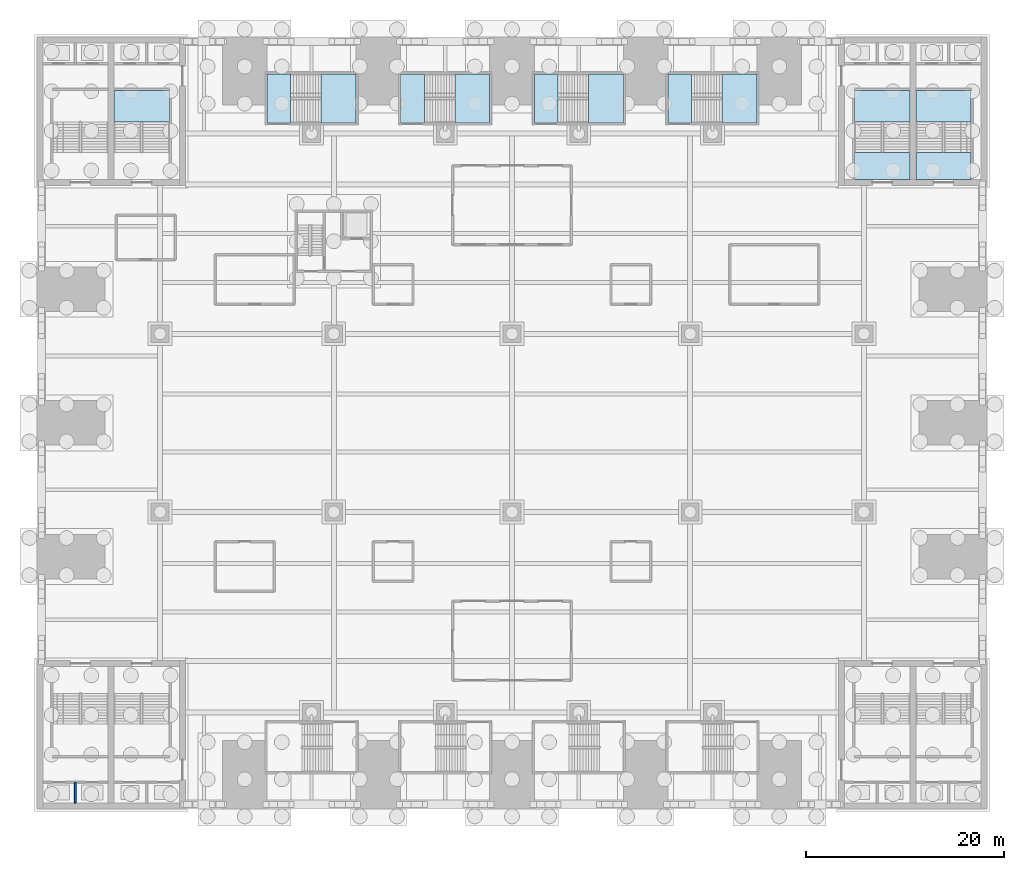
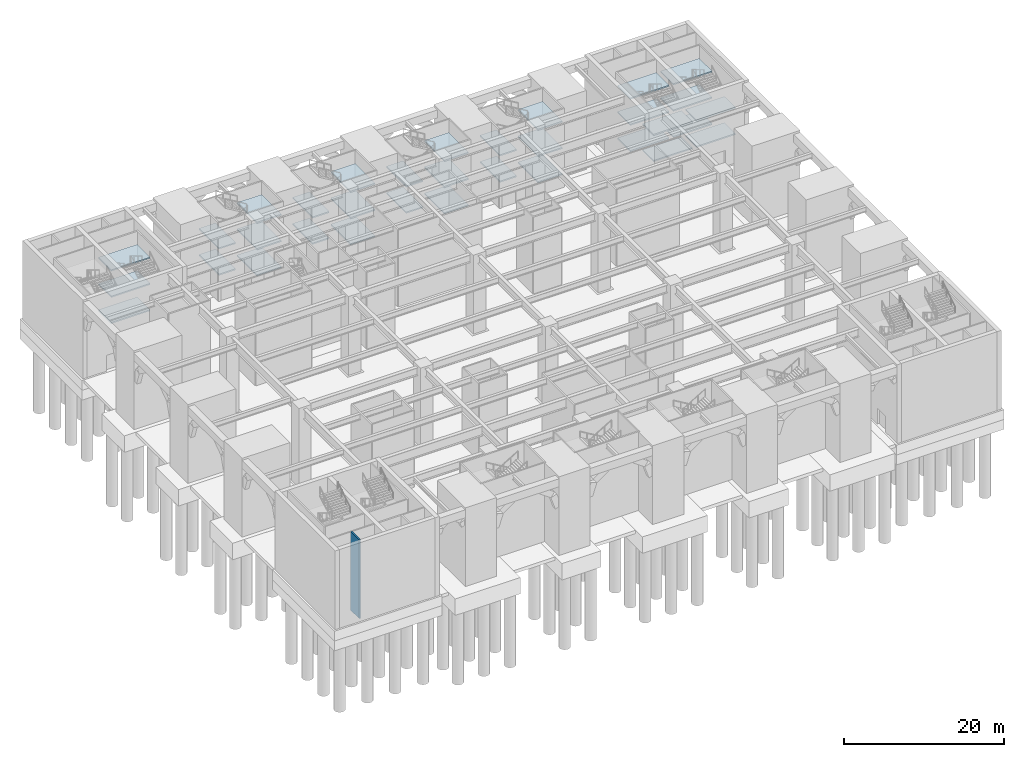
# One storey, part 6 of 34: 33 slabs, 1 wall, 7 elements without a shape of their own.
"""IFC4 building model written with IfcOpenShell, lengths in metres."""

from ifc_helpers import new_model, si_unit, direction, frame, frame_2d, origin, place, context, subcontext, project, spatial, polyline, rectangle, outline, extrude, material, layer, layer_set, type_object, element, aggregate, save


model = new_model("IFC4")

# Units and contexts
model_context = context("Model", 3, precision=1e-05, world=origin(), true_north=direction((0.0, 1.0)))
body_context = subcontext(model_context, "Body", "Model", "MODEL_VIEW")
ifc_project = project(units=[si_unit("LENGTHUNIT", "METRE"), si_unit("AREAUNIT", "SQUARE_METRE"), si_unit("VOLUMEUNIT", "CUBIC_METRE"), si_unit("PLANEANGLEUNIT", "RADIAN"), si_unit("MASSUNIT", "GRAM", prefix="KILO")], contexts=[model_context])

# Site, building, storey
site_placement = place(None, origin())
site = spatial("IfcSite", under=ifc_project, at=site_placement, CompositionType="ELEMENT")
building_placement = place(site_placement, origin())
building = spatial("IfcBuilding", under=site, at=building_placement, Name="Corbelhall Arena Tower", CompositionType="ELEMENT")
storey_placement = place(building_placement, origin())
storey = spatial("IfcBuildingStorey", under=building, at=storey_placement, Name="L00", CompositionType="ELEMENT", Elevation=0.0)

# Stair, slabs
ifc_material = material(Name="Reinforced concrete C40/50", Category="concrete")
stair_type = type_object("IfcStairType", Name="AR-EXIT-STAIR", PredefinedType="HALF_TURN_STAIR", material=ifc_material)
stair_1_placement = place(storey_placement, origin())
stair_1 = element("IfcStair", 1, at=stair_1_placement, inside=storey, type_object=stair_type, Name="L00 exit stair AS9", PredefinedType="HALF_TURN_STAIR")
ifc_layer_1 = layer(ifc_material, 0.199951171875)
ifc_layer_set_1 = layer_set([ifc_layer_1], Name="AR-EXIT-LANDING")
slab_type = type_object("IfcSlabType", Name="AR-EXIT-LANDING", PredefinedType="LANDING", material=ifc_layer_set_1)
slab_1_placement = place(storey_placement, frame((0.0, 0.0, 1.800048828125)))
slab_1 = element("IfcSlab", 2, at=slab_1_placement, type_object=slab_type, Name="AS9 landing 1", PredefinedType="LANDING", context=body_context, shape_type="SweptSolid", body=[
    extrude(outline(polyline([(-19.27001953125, 30.300048828125), (-15.75, 30.300048828125), (-15.75, 35.25), (-19.27001953125, 35.25), (-19.27001953125, 30.300048828125)])), origin(), (0.0, 0.0, 1.0), 0.199951171875),
])
slab_2_placement = place(storey_placement, frame((0.0, 0.0, 3.800048828125)))
slab_2 = element("IfcSlab", 3, at=slab_2_placement, type_object=slab_type, Name="AS9 landing 2", PredefinedType="LANDING", context=body_context, shape_type="SweptSolid", body=[
    extrude(outline(polyline([(-24.75, 30.300048828125), (-22.35009765625, 30.300048828125), (-22.35009765625, 35.25), (-24.75, 35.25), (-24.75, 30.300048828125)])), origin(), (0.0, 0.0, 1.0), 0.199951171875),
])
slab_3_placement = place(storey_placement, frame((0.0, 0.0, 5.800048828125)))
slab_3 = element("IfcSlab", 4, at=slab_3_placement, type_object=slab_type, Name="AS9 landing 3", PredefinedType="LANDING", context=body_context, shape_type="SweptSolid", body=[
    extrude(outline(polyline([(-19.27001953125, 30.300048828125), (-15.75, 30.300048828125), (-15.75, 35.25), (-19.27001953125, 35.25), (-19.27001953125, 30.300048828125)])), origin(), (0.0, 0.0, 1.0), 0.199951171875),
])
slab_4_placement = place(storey_placement, frame((0.0, 0.0, 7.800048828125)))
slab_4 = element("IfcSlab", 5, at=slab_4_placement, type_object=slab_type, Name="AS9 landing 4", PredefinedType="LANDING", context=body_context, shape_type="SweptSolid", body=[
    extrude(outline(polyline([(-24.75, 30.300048828125), (-22.35009765625, 30.300048828125), (-22.35009765625, 35.25), (-24.75, 35.25), (-24.75, 30.300048828125)])), origin(), (0.0, 0.0, 1.0), 0.199951171875),
])
slab_5_placement = place(storey_placement, frame((0.0, 0.0, 9.800048828125)))
slab_5 = element("IfcSlab", 6, at=slab_5_placement, type_object=slab_type, Name="AS9 landing 5", PredefinedType="LANDING", context=body_context, shape_type="SweptSolid", body=[
    extrude(outline(polyline([(-19.27001953125, 30.300048828125), (-15.75, 30.300048828125), (-15.75, 35.25), (-19.27001953125, 35.25), (-19.27001953125, 30.300048828125)])), origin(), (0.0, 0.0, 1.0), 0.199951171875),
])
aggregate(stair_1, [slab_1, slab_2, slab_3, slab_4, slab_5])

stair_2_placement = place(storey_placement, origin())
stair_2 = element("IfcStair", 7, at=stair_2_placement, inside=storey, type_object=stair_type, Name="L00 exit stair AS10", PredefinedType="HALF_TURN_STAIR")
slab_6_placement = place(storey_placement, frame((0.0, 0.0, 1.800048828125)))
slab_6 = element("IfcSlab", 8, at=slab_6_placement, type_object=slab_type, Name="AS10 landing 1", PredefinedType="LANDING", context=body_context, shape_type="SweptSolid", body=[
    extrude(outline(polyline([(-5.77001953125, 30.300048828125), (-2.25, 30.300048828125), (-2.25, 35.25), (-5.77001953125, 35.25), (-5.77001953125, 30.300048828125)])), origin(), (0.0, 0.0, 1.0), 0.199951171875),
])
slab_7_placement = place(storey_placement, frame((0.0, 0.0, 3.800048828125)))
slab_7 = element("IfcSlab", 9, at=slab_7_placement, type_object=slab_type, Name="AS10 landing 2", PredefinedType="LANDING", context=body_context, shape_type="SweptSolid", body=[
    extrude(outline(polyline([(-11.25, 30.300048828125), (-8.85009765625, 30.300048828125), (-8.85009765625, 35.25), (-11.25, 35.25), (-11.25, 30.300048828125)])), origin(), (0.0, 0.0, 1.0), 0.199951171875),
])
slab_8_placement = place(storey_placement, frame((0.0, 0.0, 5.800048828125)))
slab_8 = element("IfcSlab", 10, at=slab_8_placement, type_object=slab_type, Name="AS10 landing 3", PredefinedType="LANDING", context=body_context, shape_type="SweptSolid", body=[
    extrude(outline(polyline([(-5.77001953125, 30.300048828125), (-2.25, 30.300048828125), (-2.25, 35.25), (-5.77001953125, 35.25), (-5.77001953125, 30.300048828125)])), origin(), (0.0, 0.0, 1.0), 0.199951171875),
])
slab_9_placement = place(storey_placement, frame((0.0, 0.0, 7.800048828125)))
slab_9 = element("IfcSlab", 11, at=slab_9_placement, type_object=slab_type, Name="AS10 landing 4", PredefinedType="LANDING", context=body_context, shape_type="SweptSolid", body=[
    extrude(outline(polyline([(-11.25, 30.300048828125), (-8.85009765625, 30.300048828125), (-8.85009765625, 35.25), (-11.25, 35.25), (-11.25, 30.300048828125)])), origin(), (0.0, 0.0, 1.0), 0.199951171875),
])
slab_10_placement = place(storey_placement, frame((0.0, 0.0, 9.800048828125)))
slab_10 = element("IfcSlab", 12, at=slab_10_placement, type_object=slab_type, Name="AS10 landing 5", PredefinedType="LANDING", context=body_context, shape_type="SweptSolid", body=[
    extrude(outline(polyline([(-5.77001953125, 30.300048828125), (-2.25, 30.300048828125), (-2.25, 35.25), (-5.77001953125, 35.25), (-5.77001953125, 30.300048828125)])), origin(), (0.0, 0.0, 1.0), 0.199951171875),
])
aggregate(stair_2, [slab_6, slab_7, slab_8, slab_9, slab_10])

stair_3_placement = place(storey_placement, origin())
stair_3 = element("IfcStair", 13, at=stair_3_placement, inside=storey, type_object=stair_type, Name="L00 exit stair AS11", PredefinedType="HALF_TURN_STAIR")
slab_11_placement = place(storey_placement, frame((0.0, 0.0, 1.800048828125)))
slab_11 = element("IfcSlab", 14, at=slab_11_placement, type_object=slab_type, Name="AS11 landing 1", PredefinedType="LANDING", context=body_context, shape_type="SweptSolid", body=[
    extrude(outline(polyline([(7.72998046875, 30.300048828125), (11.25, 30.300048828125), (11.25, 35.25), (7.72998046875, 35.25), (7.72998046875, 30.300048828125)])), origin(), (0.0, 0.0, 1.0), 0.199951171875),
])
slab_12_placement = place(storey_placement, frame((0.0, 0.0, 3.800048828125)))
slab_12 = element("IfcSlab", 15, at=slab_12_placement, type_object=slab_type, Name="AS11 landing 2", PredefinedType="LANDING", context=body_context, shape_type="SweptSolid", body=[
    extrude(outline(polyline([(2.25, 30.300048828125), (4.64990234375, 30.300048828125), (4.64990234375, 35.25), (2.25, 35.25), (2.25, 30.300048828125)])), origin(), (0.0, 0.0, 1.0), 0.199951171875),
])
slab_13_placement = place(storey_placement, frame((0.0, 0.0, 5.800048828125)))
slab_13 = element("IfcSlab", 16, at=slab_13_placement, type_object=slab_type, Name="AS11 landing 3", PredefinedType="LANDING", context=body_context, shape_type="SweptSolid", body=[
    extrude(outline(polyline([(7.72998046875, 30.300048828125), (11.25, 30.300048828125), (11.25, 35.25), (7.72998046875, 35.25), (7.72998046875, 30.300048828125)])), origin(), (0.0, 0.0, 1.0), 0.199951171875),
])
slab_14_placement = place(storey_placement, frame((0.0, 0.0, 7.800048828125)))
slab_14 = element("IfcSlab", 17, at=slab_14_placement, type_object=slab_type, Name="AS11 landing 4", PredefinedType="LANDING", context=body_context, shape_type="SweptSolid", body=[
    extrude(outline(polyline([(2.25, 30.300048828125), (4.64990234375, 30.300048828125), (4.64990234375, 35.25), (2.25, 35.25), (2.25, 30.300048828125)])), origin(), (0.0, 0.0, 1.0), 0.199951171875),
])
slab_15_placement = place(storey_placement, frame((0.0, 0.0, 9.800048828125)))
slab_15 = element("IfcSlab", 18, at=slab_15_placement, type_object=slab_type, Name="AS11 landing 5", PredefinedType="LANDING", context=body_context, shape_type="SweptSolid", body=[
    extrude(outline(polyline([(7.72998046875, 30.300048828125), (11.25, 30.300048828125), (11.25, 35.25), (7.72998046875, 35.25), (7.72998046875, 30.300048828125)])), origin(), (0.0, 0.0, 1.0), 0.199951171875),
])
aggregate(stair_3, [slab_11, slab_12, slab_13, slab_14, slab_15])

stair_4_placement = place(storey_placement, origin())
stair_4 = element("IfcStair", 19, at=stair_4_placement, inside=storey, type_object=stair_type, Name="L00 exit stair AS12", PredefinedType="HALF_TURN_STAIR")
slab_16_placement = place(storey_placement, frame((0.0, 0.0, 1.800048828125)))
slab_16 = element("IfcSlab", 20, at=slab_16_placement, type_object=slab_type, Name="AS12 landing 1", PredefinedType="LANDING", context=body_context, shape_type="SweptSolid", body=[
    extrude(outline(polyline([(21.22998046875, 30.300048828125), (24.75, 30.300048828125), (24.75, 35.25), (21.22998046875, 35.25), (21.22998046875, 30.300048828125)])), origin(), (0.0, 0.0, 1.0), 0.199951171875),
])
slab_17_placement = place(storey_placement, frame((0.0, 0.0, 3.800048828125)))
slab_17 = element("IfcSlab", 21, at=slab_17_placement, type_object=slab_type, Name="AS12 landing 2", PredefinedType="LANDING", context=body_context, shape_type="SweptSolid", body=[
    extrude(outline(polyline([(15.75, 30.300048828125), (18.14990234375, 30.300048828125), (18.14990234375, 35.25), (15.75, 35.25), (15.75, 30.300048828125)])), origin(), (0.0, 0.0, 1.0), 0.199951171875),
])
slab_18_placement = place(storey_placement, frame((0.0, 0.0, 5.800048828125)))
slab_18 = element("IfcSlab", 22, at=slab_18_placement, type_object=slab_type, Name="AS12 landing 3", PredefinedType="LANDING", context=body_context, shape_type="SweptSolid", body=[
    extrude(outline(polyline([(21.22998046875, 30.300048828125), (24.75, 30.300048828125), (24.75, 35.25), (21.22998046875, 35.25), (21.22998046875, 30.300048828125)])), origin(), (0.0, 0.0, 1.0), 0.199951171875),
])
slab_19_placement = place(storey_placement, frame((0.0, 0.0, 7.800048828125)))
slab_19 = element("IfcSlab", 23, at=slab_19_placement, type_object=slab_type, Name="AS12 landing 4", PredefinedType="LANDING", context=body_context, shape_type="SweptSolid", body=[
    extrude(outline(polyline([(15.75, 30.300048828125), (18.14990234375, 30.300048828125), (18.14990234375, 35.25), (15.75, 35.25), (15.75, 30.300048828125)])), origin(), (0.0, 0.0, 1.0), 0.199951171875),
])
slab_20_placement = place(storey_placement, frame((0.0, 0.0, 9.800048828125)))
slab_20 = element("IfcSlab", 24, at=slab_20_placement, type_object=slab_type, Name="AS12 landing 5", PredefinedType="LANDING", context=body_context, shape_type="SweptSolid", body=[
    extrude(outline(polyline([(21.22998046875, 30.300048828125), (24.75, 30.300048828125), (24.75, 35.25), (21.22998046875, 35.25), (21.22998046875, 30.300048828125)])), origin(), (0.0, 0.0, 1.0), 0.199951171875),
])
aggregate(stair_4, [slab_16, slab_17, slab_18, slab_19, slab_20])

stair_5_placement = place(storey_placement, origin())
stair_5 = element("IfcStair", 25, at=stair_5_placement, inside=storey, type_object=stair_type, Name="L00 exit stair AS1", PredefinedType="HALF_TURN_STAIR")
slab_21_placement = place(storey_placement, frame((0.0, 0.0, 1.800048828125)))
slab_21 = element("IfcSlab", 26, at=slab_21_placement, type_object=slab_type, Name="AS1 landing 1", PredefinedType="LANDING", context=body_context, shape_type="SweptSolid", body=[
    extrude(outline(polyline([(40.199951171875, 30.39990234375), (40.199951171875, 33.60009765625), (34.610107421875, 33.60009765625), (34.610107421875, 30.39990234375), (40.199951171875, 30.39990234375)])), origin(), (0.0, 0.0, 1.0), 0.199951171875),
])
slab_22_placement = place(storey_placement, frame((0.0, 0.0, 3.800048828125)))
slab_22 = element("IfcSlab", 27, at=slab_22_placement, type_object=slab_type, Name="AS1 landing 2", PredefinedType="LANDING", context=body_context, shape_type="SweptSolid", body=[
    extrude(outline(polyline([(40.199951171875, 24.60009765625), (40.199951171875, 27.320068359375), (34.610107421875, 27.320068359375), (34.610107421875, 24.60009765625), (40.199951171875, 24.60009765625)])), origin(), (0.0, 0.0, 1.0), 0.199951171875),
])
slab_23_placement = place(storey_placement, frame((0.0, 0.0, 5.800048828125)))
slab_23 = element("IfcSlab", 28, at=slab_23_placement, type_object=slab_type, Name="AS1 landing 3", PredefinedType="LANDING", context=body_context, shape_type="SweptSolid", body=[
    extrude(outline(polyline([(40.199951171875, 30.39990234375), (40.199951171875, 33.60009765625), (34.610107421875, 33.60009765625), (34.610107421875, 30.39990234375), (40.199951171875, 30.39990234375)])), origin(), (0.0, 0.0, 1.0), 0.199951171875),
])
slab_24_placement = place(storey_placement, frame((0.0, 0.0, 7.800048828125)))
slab_24 = element("IfcSlab", 29, at=slab_24_placement, type_object=slab_type, Name="AS1 landing 4", PredefinedType="LANDING", context=body_context, shape_type="SweptSolid", body=[
    extrude(outline(polyline([(40.199951171875, 24.60009765625), (40.199951171875, 27.320068359375), (34.610107421875, 27.320068359375), (34.610107421875, 24.60009765625), (40.199951171875, 24.60009765625)])), origin(), (0.0, 0.0, 1.0), 0.199951171875),
])
slab_25_placement = place(storey_placement, frame((0.0, 0.0, 9.800048828125)))
slab_25 = element("IfcSlab", 30, at=slab_25_placement, type_object=slab_type, Name="AS1 landing 5", PredefinedType="LANDING", context=body_context, shape_type="SweptSolid", body=[
    extrude(outline(polyline([(40.199951171875, 30.39990234375), (40.199951171875, 33.60009765625), (34.610107421875, 33.60009765625), (34.610107421875, 30.39990234375), (40.199951171875, 30.39990234375)])), origin(), (0.0, 0.0, 1.0), 0.199951171875),
])
aggregate(stair_5, [slab_21, slab_22, slab_23, slab_24, slab_25])

stair_6_placement = place(storey_placement, origin())
stair_6 = element("IfcStair", 31, at=stair_6_placement, inside=storey, type_object=stair_type, Name="L00 exit stair AS2", PredefinedType="HALF_TURN_STAIR")
slab_26_placement = place(storey_placement, frame((0.0, 0.0, 1.800048828125)))
slab_26 = element("IfcSlab", 32, at=slab_26_placement, type_object=slab_type, Name="AS2 landing 1", PredefinedType="LANDING", context=body_context, shape_type="SweptSolid", body=[
    extrude(outline(polyline([(46.389892578125, 30.39990234375), (46.389892578125, 33.60009765625), (40.800048828125, 33.60009765625), (40.800048828125, 30.39990234375), (46.389892578125, 30.39990234375)])), origin(), (0.0, 0.0, 1.0), 0.199951171875),
])
slab_27_placement = place(storey_placement, frame((0.0, 0.0, 3.800048828125)))
slab_27 = element("IfcSlab", 33, at=slab_27_placement, type_object=slab_type, Name="AS2 landing 2", PredefinedType="LANDING", context=body_context, shape_type="SweptSolid", body=[
    extrude(outline(polyline([(46.389892578125, 24.60009765625), (46.389892578125, 27.320068359375), (40.800048828125, 27.320068359375), (40.800048828125, 24.60009765625), (46.389892578125, 24.60009765625)])), origin(), (0.0, 0.0, 1.0), 0.199951171875),
])
slab_28_placement = place(storey_placement, frame((0.0, 0.0, 5.800048828125)))
slab_28 = element("IfcSlab", 34, at=slab_28_placement, type_object=slab_type, Name="AS2 landing 3", PredefinedType="LANDING", context=body_context, shape_type="SweptSolid", body=[
    extrude(outline(polyline([(46.389892578125, 30.39990234375), (46.389892578125, 33.60009765625), (40.800048828125, 33.60009765625), (40.800048828125, 30.39990234375), (46.389892578125, 30.39990234375)])), origin(), (0.0, 0.0, 1.0), 0.199951171875),
])
slab_29_placement = place(storey_placement, frame((0.0, 0.0, 7.800048828125)))
slab_29 = element("IfcSlab", 35, at=slab_29_placement, type_object=slab_type, Name="AS2 landing 4", PredefinedType="LANDING", context=body_context, shape_type="SweptSolid", body=[
    extrude(outline(polyline([(46.389892578125, 24.60009765625), (46.389892578125, 27.320068359375), (40.800048828125, 27.320068359375), (40.800048828125, 24.60009765625), (46.389892578125, 24.60009765625)])), origin(), (0.0, 0.0, 1.0), 0.199951171875),
])
slab_30_placement = place(storey_placement, frame((0.0, 0.0, 9.800048828125)))
slab_30 = element("IfcSlab", 36, at=slab_30_placement, type_object=slab_type, Name="AS2 landing 5", PredefinedType="LANDING", context=body_context, shape_type="SweptSolid", body=[
    extrude(outline(polyline([(46.389892578125, 30.39990234375), (46.389892578125, 33.60009765625), (40.800048828125, 33.60009765625), (40.800048828125, 30.39990234375), (46.389892578125, 30.39990234375)])), origin(), (0.0, 0.0, 1.0), 0.199951171875),
])
aggregate(stair_6, [slab_26, slab_27, slab_28, slab_29, slab_30])

stair_7_placement = place(storey_placement, origin())
stair_7 = element("IfcStair", 37, at=stair_7_placement, inside=storey, type_object=stair_type, Name="L00 exit stair AS3", PredefinedType="HALF_TURN_STAIR")
slab_31_placement = place(storey_placement, frame((0.0, 0.0, 1.800048828125)))
slab_31 = element("IfcSlab", 38, at=slab_31_placement, type_object=slab_type, Name="AS3 landing 1", PredefinedType="LANDING", context=body_context, shape_type="SweptSolid", body=[
    extrude(outline(polyline([(-34.610107421875, 30.39990234375), (-34.610107421875, 33.60009765625), (-40.199951171875, 33.60009765625), (-40.199951171875, 30.39990234375), (-34.610107421875, 30.39990234375)])), origin(), (0.0, 0.0, 1.0), 0.199951171875),
])
slab_32_placement = place(storey_placement, frame((0.0, 0.0, 5.800048828125)))
slab_32 = element("IfcSlab", 39, at=slab_32_placement, type_object=slab_type, Name="AS3 landing 3", PredefinedType="LANDING", context=body_context, shape_type="SweptSolid", body=[
    extrude(outline(polyline([(-34.610107421875, 30.39990234375), (-34.610107421875, 33.60009765625), (-40.199951171875, 33.60009765625), (-40.199951171875, 30.39990234375), (-34.610107421875, 30.39990234375)])), origin(), (0.0, 0.0, 1.0), 0.199951171875),
])
slab_33_placement = place(storey_placement, frame((0.0, 0.0, 9.800048828125)))
slab_33 = element("IfcSlab", 40, at=slab_33_placement, type_object=slab_type, Name="AS3 landing 5", PredefinedType="LANDING", context=body_context, shape_type="SweptSolid", body=[
    extrude(outline(polyline([(-34.610107421875, 30.39990234375), (-34.610107421875, 33.60009765625), (-40.199951171875, 33.60009765625), (-40.199951171875, 30.39990234375), (-34.610107421875, 30.39990234375)])), origin(), (0.0, 0.0, 1.0), 0.199951171875),
])
aggregate(stair_7, [slab_31, slab_32, slab_33])

# Wall
ifc_layer_2 = layer(ifc_material, 0.199951171875)
ifc_layer_set_2 = layer_set([ifc_layer_2], Name="AR-SHAFT-WALL")
wall_type = type_object("IfcWallType", Name="AR-SHAFT-WALL", PredefinedType="SHEAR", material=ifc_layer_set_2)
wall_placement = place(storey_placement, frame((-44.10009765625, -38.39990234375, 0.0), z_axis=(0.0, 0.0, 1.0), x_axis=(0.0, 1.0, 0.0)))
element("IfcWall", 41, at=wall_placement, inside=storey, type_object=wall_type, Name="Shaft wall SW", PredefinedType="SHEAR", context=body_context, shape_type="SweptSolid", body=[
    extrude(rectangle(XDim=2.099853515625, YDim=0.199951171875, at=frame_2d((1.0498046875, 0.0))), origin(), (0.0, 0.0, 1.0), 12.0),
])

save(model, "model.ifc")
